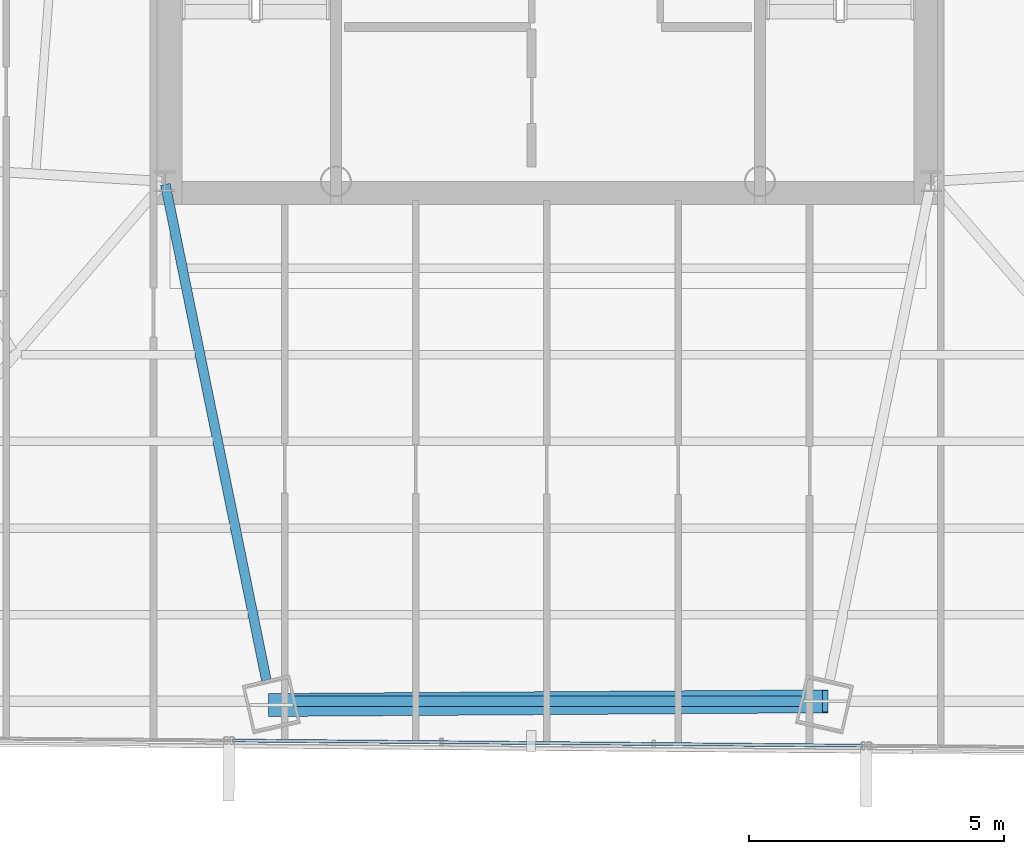
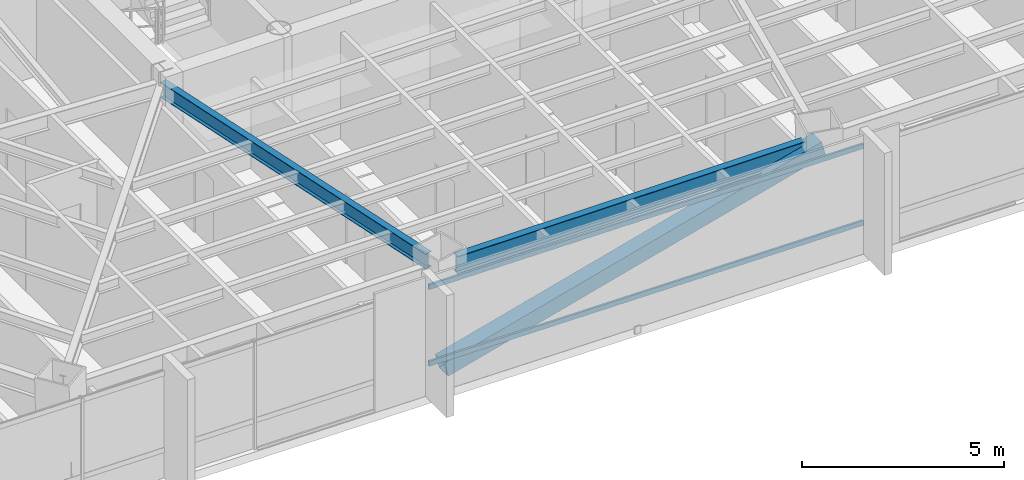
# One storey, part 9 of 40: 3 members, 2 beams, 1 element without a shape of its own.
"""IFC4 building model written with IfcOpenShell, lengths in metres."""

from ifc_helpers import new_model, si_unit, direction, frame, origin, origin_2d, place, context, subcontext, project, spatial, hollow_rectangle, i_section, extrude, source, transform, mapped, material, material_profile, profile_set, type_object, type_shapes, element, aggregate, save


model = new_model("IFC4")

# Units and contexts
model_context = context("Model", 3, precision=1e-05, world=origin(), true_north=direction((0.0, 1.0)))
body_context = subcontext(model_context, "Body", "Model", "MODEL_VIEW")
ifc_project = project(units=[si_unit("LENGTHUNIT", "METRE"), si_unit("AREAUNIT", "SQUARE_METRE"), si_unit("VOLUMEUNIT", "CUBIC_METRE"), si_unit("PLANEANGLEUNIT", "RADIAN"), si_unit("MASSUNIT", "GRAM", prefix="KILO")], contexts=[model_context])

# Site, building, storey
site_placement = place(None, origin())
site = spatial("IfcSite", under=ifc_project, at=site_placement, CompositionType="ELEMENT")
building_placement = place(site_placement, origin())
building = spatial("IfcBuilding", under=site, at=building_placement, Name="Caelisora Broadcast Tower", CompositionType="ELEMENT")
storey_placement = place(building_placement, frame((0.0, 0.0, 146.39990234375)))
storey = spatial("IfcBuildingStorey", under=building, at=storey_placement, Name="L38", CompositionType="ELEMENT", Elevation=146.39990234375)

# Beams
ifc_material_1 = material(Name="Steel Grade 350 (AS/NZS 3679.1)", Category="steel")
ifc_material_profile_1 = material_profile(ifc_material_1, i_section(OverallWidth=0.208984375, OverallDepth=0.532958984375, WebThickness=0.01025390625, FlangeThickness=0.015625, at=origin_2d()), Name="Steel Grade 350 (AS/NZS 3679.1)")
ifc_profile_set_1 = profile_set([ifc_material_profile_1], Name="Steel Grade 350 (AS/NZS 3679.1)")
beam_type_1 = type_object("IfcBeamType", Name="PG05", PredefinedType="BEAM", material=ifc_profile_set_1)
shared_shape_1 = source(origin(), body_context, "Body", "SweptSolid", [
    extrude(i_section(OverallWidth=0.208984375, OverallDepth=0.532958984375, WebThickness=0.01025390625, FlangeThickness=0.015625, at=origin_2d()), origin(), (0.0, 0.0, 1.0), 9.9345703125),
])
type_shapes(beam_type_1, [shared_shape_1])
beam_1_placement = place(storey_placement, frame((33.03271484375, 7.225341796875, 2.983642578125), z_axis=(1.0, 0.0, 0.0), x_axis=(0.0, 1.0, 0.0)))
element("IfcBeam", 1, at=beam_1_placement, inside=storey, type_object=beam_type_1, Name="L38 beam PG05", PredefinedType="BEAM", context=body_context, shape_type="MappedRepresentation", body=[
    mapped(shared_shape_1, transform((0.0, 0.0, 0.0), scale=1.0)),
])
ifc_material_profile_2 = material_profile(ifc_material_1, i_section(OverallWidth=0.19091796875, OverallDepth=0.46044921875, WebThickness=0.010009765625, FlangeThickness=0.01611328125, at=origin_2d()), Name="Steel Grade 350 (AS/NZS 3679.1)")
ifc_profile_set_2 = profile_set([ifc_material_profile_2], Name="Steel Grade 350 (AS/NZS 3679.1)")
beam_type_2 = type_object("IfcBeamType", Name="PG06", PredefinedType="BEAM", material=ifc_profile_set_2)
shared_shape_2 = source(origin(), body_context, "Body", "SweptSolid", [
    extrude(i_section(OverallWidth=0.19091796875, OverallDepth=0.46044921875, WebThickness=0.010009765625, FlangeThickness=0.01611328125, at=origin_2d()), origin(), (0.0, 0.0, 1.0), 9.90380859375),
])
type_shapes(beam_type_2, [shared_shape_2])
beam_2_placement = place(storey_placement, frame((30.511962890625, 17.34130859375, 3.02001953125), z_axis=(0.199627713088, -0.979871816192, 0.0), x_axis=(0.979871816192, 0.199627713088, 0.0)))
element("IfcBeam", 2, at=beam_2_placement, inside=storey, type_object=beam_type_2, Name="L38 beam PG06", PredefinedType="BEAM", context=body_context, shape_type="MappedRepresentation", body=[
    mapped(shared_shape_2, transform((0.0, 0.0, 0.0), scale=1.0)),
])

# Member
ifc_material_2 = material(Name="Steel Grade 450 (AS/NZS 1163 C450L0)", Category="steel")
ifc_material_profile_3 = material_profile(ifc_material_2, hollow_rectangle(XDim=0.449951171875, YDim=0.449951171875, WallThickness=0.01611328125, at=origin_2d()), Name="Steel Grade 450 (AS/NZS 1163 C450L0)")
ifc_profile_set_3 = profile_set([ifc_material_profile_3], Name="Steel Grade 450 (AS/NZS 1163 C450L0)")
member_type_1 = type_object("IfcMemberType", Name="BR03", PredefinedType="BRACE", material=ifc_profile_set_3)
shared_shape_3 = source(origin(), body_context, "Body", "SweptSolid", [
    extrude(hollow_rectangle(XDim=0.449951171875, YDim=0.449951171875, WallThickness=0.01611328125, at=origin_2d()), origin(), (0.0, 0.0, 1.0), 11.206787109375),
])
type_shapes(member_type_1, [shared_shape_3])
member_1_placement = place(storey_placement, frame((32.589111328125, 7.153076171875, 0.10009765625), z_axis=(0.967099283952, 0.006448345191, 0.254317505932), x_axis=(-0.00666756967, 0.99997777151, 0.0)))
element("IfcMember", 3, at=member_1_placement, inside=storey, type_object=member_type_1, Name="L38 perimeter brace BR03", PredefinedType="BRACE", context=body_context, shape_type="MappedRepresentation", body=[
    mapped(shared_shape_3, transform((0.0, 0.0, 0.0), scale=1.0)),
])

# Curtain wall, members
ifc_material_3 = material(Name="Unitised Aluminium Insulated Shadow-Box Spandrel Curtain Wall", Category="aluminium")
curtain_wall_type = type_object("IfcCurtainWallType", Name="CW-SP2", PredefinedType="NOTDEFINED", material=ifc_material_3)
curtain_wall_placement = place(storey_placement, origin())
curtain_wall = element("IfcCurtainWall", 4, at=curtain_wall_placement, inside=storey, type_object=curtain_wall_type, Name="L38 curtain wall CW-SP2", PredefinedType="NOTDEFINED")
ifc_material_4 = material(Name="Aluminium 6063-T6 Anodised Terracotta Bronze", Category="aluminium")
ifc_material_profile_4 = material_profile(ifc_material_4, hollow_rectangle(XDim=0.06005859375, YDim=0.14990234375, WallThickness=0.00341796875, at=origin_2d()), Name="Aluminium 6063-T6 Anodised Terracotta Bronze")
ifc_profile_set_4 = profile_set([ifc_material_profile_4], Name="Aluminium 6063-T6 Anodised Terracotta Bronze")
member_type_2 = type_object("IfcMemberType", Name="CWT-02", PredefinedType="USERDEFINED", material=ifc_profile_set_4)
shared_shape_4 = source(origin(), body_context, "Body", "SweptSolid", [
    extrude(hollow_rectangle(XDim=0.06005859375, YDim=0.14990234375, WallThickness=0.00341796875, at=origin_2d()), origin(), (0.0, 0.0, 1.0), 12.361328125),
])
type_shapes(member_type_2, [shared_shape_4])
member_2_placement = place(storey_placement, frame((44.17431640625, 6.3564453125, 0.85009765625), z_axis=(-0.999966084036, 0.008235944243, 0.0), x_axis=(-0.008235944243, -0.999966084036, 0.0)))
member_2 = element("IfcMember", 5, at=member_2_placement, type_object=member_type_2, Name="L38-CW-B06 transom #1", ObjectType="TRANSOM", PredefinedType="USERDEFINED", context=body_context, shape_type="MappedRepresentation", body=[
    mapped(shared_shape_4, transform((0.0, 0.0, 0.0), scale=1.0)),
])
member_3_placement = place(storey_placement, frame((44.17431640625, 6.3564453125, 3.170166015625), z_axis=(-0.999966084036, 0.008235944243, 0.0), x_axis=(-0.008235944243, -0.999966084036, 0.0)))
member_3 = element("IfcMember", 6, at=member_3_placement, type_object=member_type_2, Name="L38-CW-B06 transom #2", ObjectType="TRANSOM", PredefinedType="USERDEFINED", context=body_context, shape_type="MappedRepresentation", body=[
    mapped(shared_shape_4, transform((0.0, 0.0, 0.0), scale=1.0)),
])
aggregate(curtain_wall, [member_2, member_3])

save(model, "model.ifc")
